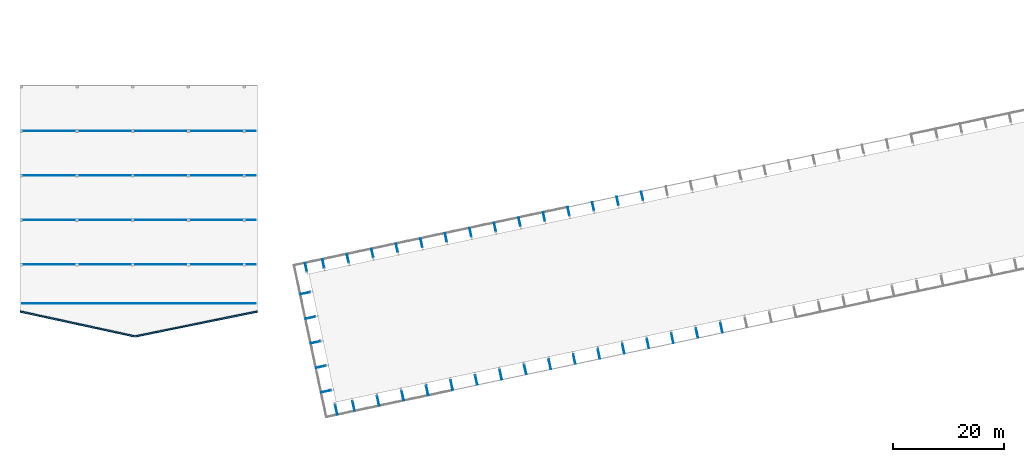
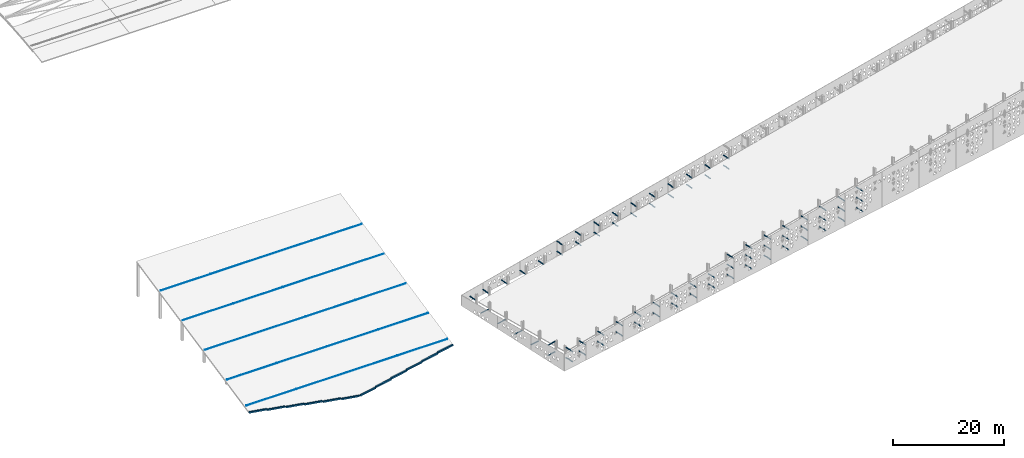
# One storey, part 31 of 41: 105 discrete accessories.
"""IFC4 building model written with IfcOpenShell, lengths in metres."""

import ifcopenshell
import ifcopenshell.guid

model = None  # the IFC model being written
_history = None  # IfcOwnerHistory: only IFC2X3 demands one
_inside = {}  # id of a spatial element -> (the spatial element, [elements in it])
_under = {}  # id of a project, library or spatial element -> (it, [spatial elements below it])
_declared = {}  # id of a project -> (the project, [libraries it declares])
_typed = {}  # id of a type object -> (the type object, [elements of that type])
_made_of = {}  # id of a material, layer set ... -> (it, [elements and type objects made of it])


def new_model(schema):
    """Start an empty IFC model of exactly this schema.

    Asked for "IFC4X3", IfcOpenShell would pick the latest addendum, in which some entities
    have other attributes; the version numbers below select the first issue.
    IFC2X3 requires an IfcOwnerHistory on every rooted entity: one is made here for all.
    """
    global model, _history
    if schema == "IFC4X3":
        model = ifcopenshell.file(schema_version=(4, 3, 0, 0))
    else:
        model = ifcopenshell.file(schema=schema)
    _inside.clear()
    _under.clear()
    _declared.clear()
    _typed.clear()
    _made_of.clear()
    _history = None
    if model.schema == "IFC2X3":
        org = make("IfcOrganization", Name="unknown")
        user = make(
            "IfcPersonAndOrganization",
            ThePerson=make("IfcPerson", FamilyName="unknown"),
            TheOrganization=org,
        )
        app = make(
            "IfcApplication",
            ApplicationDeveloper=org,
            Version="unknown",
            ApplicationFullName="unknown",
            ApplicationIdentifier="unknown",
        )
        _history = make(
            "IfcOwnerHistory",
            OwningUser=user,
            OwningApplication=app,
            ChangeAction="ADDED",
            CreationDate=0,
        )
    return model


def make(cls, **values):
    """One entity of the class cls with the attributes given. An attribute that is None is left unset."""
    return model.create_entity(
        cls, **{name: value for name, value in values.items() if value is not None}
    )


def rooted(cls, **values):
    """An entity with a GlobalId (a new one), such as an element, a storey or a relation."""
    return make(cls, GlobalId=ifcopenshell.guid.new(), OwnerHistory=_history, **values)


def si_unit(unit_type, name, prefix=None):
    """IfcSIUnit, for example si_unit("LENGTHUNIT", "METRE", prefix="MILLI")."""
    return make("IfcSIUnit", UnitType=unit_type, Prefix=prefix, Name=name)


def assignment(units):
    """IfcUnitAssignment: the units of a project."""
    return None if units is None else make("IfcUnitAssignment", Units=units)


def point(xyz):
    """IfcCartesianPoint."""
    return None if xyz is None else make("IfcCartesianPoint", Coordinates=xyz)


def direction(xyz):
    """IfcDirection."""
    return None if xyz is None else make("IfcDirection", DirectionRatios=xyz)


def frame(location, z_axis=None, x_axis=None):
    """IfcAxis2Placement3D, a coordinate frame: its origin and axes. An axis left out is left unset."""
    return make(
        "IfcAxis2Placement3D",
        Location=point(location),
        Axis=direction(z_axis),
        RefDirection=direction(x_axis),
    )


def frame_2d(location, x_axis=None):
    """IfcAxis2Placement2D, a coordinate frame in the plane: its origin and x axis."""
    return make(
        "IfcAxis2Placement2D", Location=point(location), RefDirection=direction(x_axis)
    )


def origin():
    """The frame at (0, 0, 0) with its axes left unset."""
    return frame((0.0, 0.0, 0.0))


def origin_2d():
    """The frame at (0, 0) in the plane with its x axis left unset."""
    return frame_2d((0.0, 0.0))


def place(relative_to, where):
    """IfcLocalPlacement: puts the frame where relative to a parent placement (None: the world)."""
    return make(
        "IfcLocalPlacement", PlacementRelTo=relative_to, RelativePlacement=where
    )


def context(
    kind, dimensions, precision=None, world=None, true_north=None, identifier=None
):
    """IfcGeometricRepresentationContext, for example the 3D "Model" context."""
    return make(
        "IfcGeometricRepresentationContext",
        ContextIdentifier=identifier,
        ContextType=kind,
        CoordinateSpaceDimension=dimensions,
        Precision=precision,
        WorldCoordinateSystem=world,
        TrueNorth=true_north,
    )


def subcontext(parent, identifier, kind, view, scale=None):
    """IfcGeometricRepresentationSubContext, for example "Body" below "Model"."""
    return make(
        "IfcGeometricRepresentationSubContext",
        ContextIdentifier=identifier,
        ContextType=kind,
        ParentContext=parent,
        TargetScale=scale,
        TargetView=view,
    )


def project(units=None, contexts=None):
    """IfcProject with its units and contexts."""
    return rooted(
        "IfcProject",
        Name="project",
        RepresentationContexts=contexts,
        UnitsInContext=assignment(units),
    )


def spatial(cls, under=None, at=None, **own):
    """A site, building, storey or space (cls), placed at a placement, below another one or the project."""
    s = rooted(cls, ObjectPlacement=at, **own)
    if under is not None:
        _under.setdefault(under.id(), (under, []))[1].append(s)
    return s


def polyline(points):
    """IfcPolyline through the points."""
    return make("IfcPolyline", Points=[point(p) for p in points])


def profile(cls, at=None, kind="AREA", **sizes):
    """A parametric profile (cls). Its sizes go by their IFC names, for example OverallWidth=200.0."""
    return make(cls, ProfileType=kind, Position=at, **sizes)


def rectangle(**sizes):
    """IfcRectangleProfileDef."""
    return profile("IfcRectangleProfileDef", **sizes)


def outline(outer, holes=None, kind="AREA"):
    """IfcArbitraryClosedProfileDef: a profile drawn as a closed curve; with holes, ...WithVoids."""
    if holes is None:
        return make("IfcArbitraryClosedProfileDef", ProfileType=kind, OuterCurve=outer)
    return make(
        "IfcArbitraryProfileDefWithVoids",
        ProfileType=kind,
        OuterCurve=outer,
        InnerCurves=holes,
    )


def extrude(swept, where, along, depth):
    """IfcExtrudedAreaSolid: the profile swept, set in the frame where, extruded along a direction by depth."""
    return make(
        "IfcExtrudedAreaSolid",
        SweptArea=swept,
        Position=where,
        ExtrudedDirection=direction(along),
        Depth=depth,
    )


def shape(context_of_items, identifier, shape_type, items):
    """IfcShapeRepresentation: the items that make up one representation, for example the "Body"."""
    return make(
        "IfcShapeRepresentation",
        ContextOfItems=context_of_items,
        RepresentationIdentifier=identifier,
        RepresentationType=shape_type,
        Items=items,
    )


def material(Name=None, Category=None):
    """IfcMaterial."""
    return make("IfcMaterial", Name=Name, Category=Category)


def material_profile(
    of_material, cross_section, Name=None, Category=None, Priority=None
):
    """IfcMaterialProfile: a cross section and its material."""
    return make(
        "IfcMaterialProfile",
        Name=Name,
        Material=of_material,
        Profile=cross_section,
        Priority=Priority,
        Category=Category,
    )


def profile_set(profiles, Name=None, composite=None):
    """IfcMaterialProfileSet."""
    return make(
        "IfcMaterialProfileSet",
        Name=Name,
        MaterialProfiles=profiles,
        CompositeProfile=composite,
    )


def made_of(thing, what):
    """Note that an element or type object is made of a material, layer set ...; save() writes the relation."""
    if what is not None:
        _made_of.setdefault(what.id(), (what, []))[1].append(thing)
    return thing


def type_object(cls, material=None, **own):
    """A type object (cls), such as IfcWallType, which elements share."""
    return made_of(rooted(cls, **own), material)


def element(
    cls,
    number,
    at=None,
    inside=None,
    cuts=None,
    type_object=None,
    material=None,
    context=None,
    identifier="Body",
    shape_type=None,
    held_by="IfcProductDefinitionShape",
    body=None,
    shapes=None,
    **own,
):
    """One element of the class cls, such as IfcWall. Its Tag is "e" and its number.

    at: its placement. inside: the storey or other place that contains it. cuts: it is an
    opening in that element (IfcRelVoidsElement). A single representation is given by context,
    identifier, shape_type and body (its items); several are given by shapes. held_by: the class
    of the entity that holds the representations. save() writes the other relations.
    """
    e = rooted(cls, Tag="e%d" % number, ObjectPlacement=at, **own)
    if body is not None:
        shapes = [shape(context, identifier, shape_type, body)]
    if shapes is not None:
        e.Representation = make(held_by, Representations=shapes)
    if inside is not None:
        _inside.setdefault(inside.id(), (inside, []))[1].append(e)
    if cuts is not None:
        rooted(
            "IfcRelVoidsElement", RelatingBuildingElement=cuts, RelatedOpeningElement=e
        )
    if type_object is not None:
        _typed.setdefault(type_object.id(), (type_object, []))[1].append(e)
    return made_of(e, material)


def aggregate(whole, parts):
    """IfcRelAggregates: a whole, such as a stair, and the parts it consists of."""
    return rooted("IfcRelAggregates", RelatingObject=whole, RelatedObjects=parts)


def save(model, path):
    """Write the relations noted so far, then the file.

    IfcRelAggregates (storeys below a building ...), IfcRelContainedInSpatialStructure (elements
    in a storey), IfcRelDefinesByType, IfcRelAssociatesMaterial and IfcRelDeclares: one each for
    every whole, place, type object, material and project.
    """
    for whole, parts in _under.values():
        aggregate(whole, parts)
    for where, things in _inside.values():
        rooted(
            "IfcRelContainedInSpatialStructure",
            RelatedElements=things,
            RelatingStructure=where,
        )
    for kind, things in _typed.values():
        rooted("IfcRelDefinesByType", RelatedObjects=things, RelatingType=kind)
    for what, things in _made_of.values():
        rooted("IfcRelAssociatesMaterial", RelatedObjects=things, RelatingMaterial=what)
    for by, libraries in _declared.values():
        rooted("IfcRelDeclares", RelatingContext=by, RelatedDefinitions=libraries)
    model.write(path)


model = new_model("IFC4")

# Units and contexts
model_context = context("Model", 3, precision=1e-05, world=origin(), true_north=direction((0.0, 1.0)))
body_context = subcontext(model_context, "Body", "Model", "MODEL_VIEW")
ifc_project = project(units=[si_unit("LENGTHUNIT", "METRE"), si_unit("AREAUNIT", "SQUARE_METRE"), si_unit("VOLUMEUNIT", "CUBIC_METRE"), si_unit("PLANEANGLEUNIT", "RADIAN"), si_unit("MASSUNIT", "GRAM", prefix="KILO")], contexts=[model_context])

# Site, building, storey
site_placement = place(None, origin())
site = spatial("IfcSite", under=ifc_project, at=site_placement, CompositionType="ELEMENT")
building_placement = place(site_placement, origin())
building = spatial("IfcBuilding", under=site, at=building_placement, Name="Okhra Congress Centre", CompositionType="ELEMENT")
storey_placement = place(building_placement, frame((0.0, 0.0, 21.60009765625)))
storey = spatial("IfcBuildingStorey", under=building, at=storey_placement, Name="ROOF", CompositionType="ELEMENT", Elevation=21.60009765625)

# Discrete accessories
ifc_material_1 = material(Name="Stainless steel box gutter with self-regulating heating cable", Category="steel")
discrete_accessory_type_1 = type_object("IfcDiscreteAccessoryType", Name="Heated eaves gutter 300x300", PredefinedType="USERDEFINED", material=ifc_material_1)
for number, where, z_axis, x_axis, name in (
    (1, (7.4619140625, 43.255615234375, -1.279296875), (0.0, 0.0, 1.0), (0.97726183276, -0.212036105958, 0.0), "Heated eaves gutter"),
    (2, (10.8994140625, 42.509765625, -1.43798828125), (0.0, 0.0, 1.0), (0.97726183276, -0.212036105958, 0.0), "Heated eaves gutter"),
    (3, (14.3369140625, 41.763916015625, -1.5966796875), (0.0, 0.0, 1.0), (0.97726183276, -0.212036105958, 0.0), "Heated eaves gutter"),
    (4, (17.7744140625, 41.01806640625, -1.7548828125), (0.0, 0.0, 1.0), (0.97726183276, -0.212036105958, 0.0), "Heated eaves gutter"),
    (5, (21.2119140625, 40.272216796875, -1.91357421875), (0.0, 0.0, 1.0), (0.97726183276, -0.212036105958, 0.0), "Heated eaves gutter"),
    (6, (24.6494140625, 39.5263671875, -2.072265625), (0.0, 0.0, 1.0), (0.97726183276, -0.212036105958, 0.0), "Heated eaves gutter"),
):
    element("IfcDiscreteAccessory", number, at=place(storey_placement, frame(where, z_axis=z_axis, x_axis=x_axis)), inside=storey, type_object=discrete_accessory_type_1, Name=name, ObjectType="HEATED GUTTER", PredefinedType="USERDEFINED", context=body_context, shape_type="SweptSolid", body=[
        extrude(rectangle(XDim=3.41748046875, YDim=0.300048828125, at=origin_2d()), origin(), (0.0, 0.0, 1.0), 0.300048828125),
    ])
for number, where, z_axis, x_axis, name in (
    (7, (28.26318359375, 39.52587890625, -2.072265625), (0.0, 0.0, 1.0), (0.979933054866, 0.199326887252, 0.0), "Heated eaves gutter"),
    (8, (31.929931640625, 40.271728515625, -1.91357421875), (0.0, 0.0, 1.0), (0.979933054866, 0.199326887252, 0.0), "Heated eaves gutter"),
    (9, (35.5966796875, 41.017578125, -1.7548828125), (0.0, 0.0, 1.0), (0.979933054866, 0.199326887252, 0.0), "Heated eaves gutter"),
    (10, (39.26318359375, 41.763427734375, -1.5966796875), (0.0, 0.0, 1.0), (0.979933054866, 0.199326887252, 0.0), "Heated eaves gutter"),
    (11, (42.929931640625, 42.50927734375, -1.43798828125), (0.0, 0.0, 1.0), (0.979933054866, 0.199326887252, 0.0), "Heated eaves gutter"),
    (12, (46.5966796875, 43.255126953125, -1.279296875), (0.0, 0.0, 1.0), (0.979933054866, 0.199326887252, 0.0), "Heated eaves gutter"),
):
    element("IfcDiscreteAccessory", number, at=place(storey_placement, frame(where, z_axis=z_axis, x_axis=x_axis)), inside=storey, type_object=discrete_accessory_type_1, Name=name, ObjectType="HEATED GUTTER", PredefinedType="USERDEFINED", context=body_context, shape_type="SweptSolid", body=[
        extrude(rectangle(XDim=3.641845703125, YDim=0.300048828125, at=origin_2d()), origin(), (0.0, 0.0, 1.0), 0.300048828125),
    ])
ifc_material_2 = material(Name="Steel S355J2 outrigger, galvanised", Category="steel")
ifc_material_profile = material_profile(ifc_material_2, rectangle(XDim=0.1201171875, YDim=0.1201171875, at=origin_2d()), Name="Screen outrigger bracket 120x120")
ifc_profile_set = profile_set([ifc_material_profile], Name="Steel S355J2 outrigger, galvanised")
discrete_accessory_type_2 = type_object("IfcDiscreteAccessoryType", Name="Screen outrigger bracket 120x120", PredefinedType="BRACKET", material=ifc_profile_set)
for number, where, z_axis, x_axis, name in (
    (13, (62.352783203125, 26.86962890625, 1.329833984375), (0.207885223274, -0.97815322621, 0.0), (0.97815322621, 0.207885223274, 0.0), "Screen outrigger 7"),
    (14, (62.352783203125, 26.86962890625, 3.56982421875), (0.207885223274, -0.97815322621, 0.0), (0.97815322621, 0.207885223274, 0.0), "Screen outrigger 8"),
):
    element("IfcDiscreteAccessory", number, at=place(storey_placement, frame(where, z_axis=z_axis, x_axis=x_axis)), inside=storey, type_object=discrete_accessory_type_2, Name=name, PredefinedType="BRACKET", context=body_context, shape_type="SweptSolid", body=[
        extrude(rectangle(XDim=0.1201171875, YDim=0.1201171875, at=origin_2d()), origin(), (0.0, 0.0, 1.0), 1.76513671875),
    ])
discrete_accessory_1_placement = place(storey_placement, frame((57.271484375, 50.775390625, 1.329833984375), z_axis=(-0.207952044176, 0.978139022493, 0.0), x_axis=(-0.978139022493, -0.207952044176, 0.0)))
element("IfcDiscreteAccessory", 15, at=discrete_accessory_1_placement, inside=storey, type_object=discrete_accessory_type_2, Name="Screen outrigger 15", PredefinedType="BRACKET", context=body_context, shape_type="SweptSolid", body=[
    extrude(rectangle(XDim=0.1201171875, YDim=0.1201171875, at=origin_2d()), origin(), (0.0, 0.0, 1.0), 1.56494140625),
])
for number, where, z_axis, x_axis, name in (
    (16, (65.45849609375, 27.529541015625, 1.329833984375), (0.207913352163, -0.978147247602, 0.0), (0.978147247602, 0.207913352163, 0.0), "Screen outrigger 22"),
    (17, (65.45849609375, 27.529541015625, 3.56982421875), (0.207913352163, -0.978147247602, 0.0), (0.978147247602, 0.207913352163, 0.0), "Screen outrigger 23"),
):
    element("IfcDiscreteAccessory", number, at=place(storey_placement, frame(where, z_axis=z_axis, x_axis=x_axis)), inside=storey, type_object=discrete_accessory_type_2, Name=name, PredefinedType="BRACKET", context=body_context, shape_type="SweptSolid", body=[
        extrude(rectangle(XDim=0.1201171875, YDim=0.1201171875, at=origin_2d()), origin(), (0.0, 0.0, 1.0), 1.764892578125),
    ])
discrete_accessory_2_placement = place(storey_placement, frame((60.376953125, 51.435546875, 1.329833984375), z_axis=(-0.207802780084, 0.978170744088, 0.0), x_axis=(-0.978170744088, -0.207802780084, 0.0)))
element("IfcDiscreteAccessory", 18, at=discrete_accessory_2_placement, inside=storey, type_object=discrete_accessory_type_2, Name="Screen outrigger 30", PredefinedType="BRACKET", context=body_context, shape_type="SweptSolid", body=[
    extrude(rectangle(XDim=0.1201171875, YDim=0.1201171875, at=origin_2d()), origin(), (0.0, 0.0, 1.0), 1.56494140625),
])
for number, where, z_axis, x_axis, name in (
    (19, (69.860107421875, 28.46533203125, 1.329833984375), (0.207885223274, -0.97815322621, 0.0), (0.97815322621, 0.207885223274, 0.0), "Screen outrigger 37"),
    (20, (69.860107421875, 28.46533203125, 3.56982421875), (0.207885223274, -0.97815322621, 0.0), (0.97815322621, 0.207885223274, 0.0), "Screen outrigger 38"),
):
    element("IfcDiscreteAccessory", number, at=place(storey_placement, frame(where, z_axis=z_axis, x_axis=x_axis)), inside=storey, type_object=discrete_accessory_type_2, Name=name, PredefinedType="BRACKET", context=body_context, shape_type="SweptSolid", body=[
        extrude(rectangle(XDim=0.1201171875, YDim=0.1201171875, at=origin_2d()), origin(), (0.0, 0.0, 1.0), 1.76513671875),
    ])
discrete_accessory_3_placement = place(storey_placement, frame((64.77880859375, 52.37109375, 1.329833984375), z_axis=(-0.207920316953, 0.978145767152, 0.0), x_axis=(-0.978145767152, -0.207920316953, 0.0)))
element("IfcDiscreteAccessory", 21, at=discrete_accessory_3_placement, inside=storey, type_object=discrete_accessory_type_2, Name="Screen outrigger 45", PredefinedType="BRACKET", context=body_context, shape_type="SweptSolid", body=[
    extrude(rectangle(XDim=0.1201171875, YDim=0.1201171875, at=origin_2d()), origin(), (0.0, 0.0, 1.0), 1.565185546875),
])
for number, where, z_axis, x_axis, name in (
    (22, (74.26171875, 29.40087890625, 1.329833984375), (0.207885223274, -0.97815322621, 0.0), (0.97815322621, 0.207885223274, 0.0), "Screen outrigger 52"),
    (23, (74.26171875, 29.40087890625, 3.56982421875), (0.207885223274, -0.97815322621, 0.0), (0.97815322621, 0.207885223274, 0.0), "Screen outrigger 53"),
):
    element("IfcDiscreteAccessory", number, at=place(storey_placement, frame(where, z_axis=z_axis, x_axis=x_axis)), inside=storey, type_object=discrete_accessory_type_2, Name=name, PredefinedType="BRACKET", context=body_context, shape_type="SweptSolid", body=[
        extrude(rectangle(XDim=0.1201171875, YDim=0.1201171875, at=origin_2d()), origin(), (0.0, 0.0, 1.0), 1.76513671875),
    ])
discrete_accessory_4_placement = place(storey_placement, frame((69.180419921875, 53.306884765625, 1.329833984375), z_axis=(-0.207952044176, 0.978139022493, 0.0), x_axis=(-0.978139022493, -0.207952044176, 0.0)))
element("IfcDiscreteAccessory", 24, at=discrete_accessory_4_placement, inside=storey, type_object=discrete_accessory_type_2, Name="Screen outrigger 60", PredefinedType="BRACKET", context=body_context, shape_type="SweptSolid", body=[
    extrude(rectangle(XDim=0.1201171875, YDim=0.1201171875, at=origin_2d()), origin(), (0.0, 0.0, 1.0), 1.56494140625),
])
for number, where, z_axis, x_axis, name in (
    (25, (78.663330078125, 30.33642578125, 1.329833984375), (0.207913352163, -0.978147247602, 0.0), (0.978147247602, 0.207913352163, 0.0), "Screen outrigger 67"),
    (26, (78.663330078125, 30.33642578125, 3.56982421875), (0.207913352163, -0.978147247602, 0.0), (0.978147247602, 0.207913352163, 0.0), "Screen outrigger 68"),
):
    element("IfcDiscreteAccessory", number, at=place(storey_placement, frame(where, z_axis=z_axis, x_axis=x_axis)), inside=storey, type_object=discrete_accessory_type_2, Name=name, PredefinedType="BRACKET", context=body_context, shape_type="SweptSolid", body=[
        extrude(rectangle(XDim=0.1201171875, YDim=0.1201171875, at=origin_2d()), origin(), (0.0, 0.0, 1.0), 1.764892578125),
    ])
discrete_accessory_5_placement = place(storey_placement, frame((73.58203125, 54.242431640625, 1.329833984375), z_axis=(-0.207952044176, 0.978139022493, 0.0), x_axis=(-0.978139022493, -0.207952044176, 0.0)))
element("IfcDiscreteAccessory", 27, at=discrete_accessory_5_placement, inside=storey, type_object=discrete_accessory_type_2, Name="Screen outrigger 75", PredefinedType="BRACKET", context=body_context, shape_type="SweptSolid", body=[
    extrude(rectangle(XDim=0.1201171875, YDim=0.1201171875, at=origin_2d()), origin(), (0.0, 0.0, 1.0), 1.56494140625),
])
for number, where, z_axis, x_axis, name in (
    (28, (83.06494140625, 31.27197265625, 1.329833984375), (0.208045698869, -0.978119106849, 0.0), (0.978119106849, 0.208045698869, 0.0), "Screen outrigger 82"),
    (29, (83.06494140625, 31.27197265625, 3.56982421875), (0.208045698869, -0.978119106849, 0.0), (0.978119106849, 0.208045698869, 0.0), "Screen outrigger 83"),
):
    element("IfcDiscreteAccessory", number, at=place(storey_placement, frame(where, z_axis=z_axis, x_axis=x_axis)), inside=storey, type_object=discrete_accessory_type_2, Name=name, PredefinedType="BRACKET", context=body_context, shape_type="SweptSolid", body=[
        extrude(rectangle(XDim=0.1201171875, YDim=0.1201171875, at=origin_2d()), origin(), (0.0, 0.0, 1.0), 1.764892578125),
    ])
for number, where, z_axis, x_axis, name in (
    (30, (77.983642578125, 55.177978515625, 1.329833984375), (-0.207952044176, 0.978139022493, 0.0), (-0.978139022493, -0.207952044176, 0.0), "Screen outrigger 90"),
    (31, (77.983642578125, 55.177978515625, 3.56982421875), (-0.207952044176, 0.978139022493, 0.0), (-0.978139022493, -0.207952044176, 0.0), "Screen outrigger 91"),
):
    element("IfcDiscreteAccessory", number, at=place(storey_placement, frame(where, z_axis=z_axis, x_axis=x_axis)), inside=storey, type_object=discrete_accessory_type_2, Name=name, PredefinedType="BRACKET", context=body_context, shape_type="SweptSolid", body=[
        extrude(rectangle(XDim=0.1201171875, YDim=0.1201171875, at=origin_2d()), origin(), (0.0, 0.0, 1.0), 1.56494140625),
    ])
for number, where, z_axis, x_axis, name in (
    (32, (87.466796875, 32.207763671875, 1.329833984375), (0.207885223274, -0.97815322621, 0.0), (0.97815322621, 0.207885223274, 0.0), "Screen outrigger 98"),
    (33, (87.466796875, 32.207763671875, 3.56982421875), (0.207885223274, -0.97815322621, 0.0), (0.97815322621, 0.207885223274, 0.0), "Screen outrigger 99"),
):
    element("IfcDiscreteAccessory", number, at=place(storey_placement, frame(where, z_axis=z_axis, x_axis=x_axis)), inside=storey, type_object=discrete_accessory_type_2, Name=name, PredefinedType="BRACKET", context=body_context, shape_type="SweptSolid", body=[
        extrude(rectangle(XDim=0.1201171875, YDim=0.1201171875, at=origin_2d()), origin(), (0.0, 0.0, 1.0), 1.76513671875),
    ])
for number, where, z_axis, x_axis, name in (
    (34, (82.38525390625, 56.113525390625, 1.329833984375), (-0.207802780084, 0.978170744088, 0.0), (-0.978170744088, -0.207802780084, 0.0), "Screen outrigger 106"),
    (35, (82.38525390625, 56.113525390625, 3.56982421875), (-0.207802780084, 0.978170744088, 0.0), (-0.978170744088, -0.207802780084, 0.0), "Screen outrigger 107"),
):
    element("IfcDiscreteAccessory", number, at=place(storey_placement, frame(where, z_axis=z_axis, x_axis=x_axis)), inside=storey, type_object=discrete_accessory_type_2, Name=name, PredefinedType="BRACKET", context=body_context, shape_type="SweptSolid", body=[
        extrude(rectangle(XDim=0.1201171875, YDim=0.1201171875, at=origin_2d()), origin(), (0.0, 0.0, 1.0), 1.56494140625),
    ])
for number, where, z_axis, x_axis, name in (
    (36, (91.868408203125, 33.143310546875, 1.329833984375), (0.207885223274, -0.97815322621, 0.0), (0.97815322621, 0.207885223274, 0.0), "Screen outrigger 114"),
    (37, (91.868408203125, 33.143310546875, 3.56982421875), (0.207885223274, -0.97815322621, 0.0), (0.97815322621, 0.207885223274, 0.0), "Screen outrigger 115"),
):
    element("IfcDiscreteAccessory", number, at=place(storey_placement, frame(where, z_axis=z_axis, x_axis=x_axis)), inside=storey, type_object=discrete_accessory_type_2, Name=name, PredefinedType="BRACKET", context=body_context, shape_type="SweptSolid", body=[
        extrude(rectangle(XDim=0.1201171875, YDim=0.1201171875, at=origin_2d()), origin(), (0.0, 0.0, 1.0), 1.76513671875),
    ])
for number, where, z_axis, x_axis, name in (
    (38, (86.787109375, 57.049072265625, 1.329833984375), (-0.207920316953, 0.978145767152, 0.0), (-0.978145767152, -0.207920316953, 0.0), "Screen outrigger 122"),
    (39, (86.787109375, 57.049072265625, 3.56982421875), (-0.207920316953, 0.978145767152, 0.0), (-0.978145767152, -0.207920316953, 0.0), "Screen outrigger 123"),
):
    element("IfcDiscreteAccessory", number, at=place(storey_placement, frame(where, z_axis=z_axis, x_axis=x_axis)), inside=storey, type_object=discrete_accessory_type_2, Name=name, PredefinedType="BRACKET", context=body_context, shape_type="SweptSolid", body=[
        extrude(rectangle(XDim=0.1201171875, YDim=0.1201171875, at=origin_2d()), origin(), (0.0, 0.0, 1.0), 1.565185546875),
    ])
for number, where, z_axis, x_axis, name in (
    (40, (96.27001953125, 34.078857421875, 1.329833984375), (0.207913352163, -0.978147247602, 0.0), (0.978147247602, 0.207913352163, 0.0), "Screen outrigger 130"),
    (41, (96.27001953125, 34.078857421875, 3.56982421875), (0.207913352163, -0.978147247602, 0.0), (0.978147247602, 0.207913352163, 0.0), "Screen outrigger 131"),
):
    element("IfcDiscreteAccessory", number, at=place(storey_placement, frame(where, z_axis=z_axis, x_axis=x_axis)), inside=storey, type_object=discrete_accessory_type_2, Name=name, PredefinedType="BRACKET", context=body_context, shape_type="SweptSolid", body=[
        extrude(rectangle(XDim=0.1201171875, YDim=0.1201171875, at=origin_2d()), origin(), (0.0, 0.0, 1.0), 1.764892578125),
    ])
for number, where, z_axis, x_axis, name in (
    (42, (91.188720703125, 57.98486328125, 1.329833984375), (-0.207952044176, 0.978139022493, 0.0), (-0.978139022493, -0.207952044176, 0.0), "Screen outrigger 138"),
    (43, (91.188720703125, 57.98486328125, 3.56982421875), (-0.207952044176, 0.978139022493, 0.0), (-0.978139022493, -0.207952044176, 0.0), "Screen outrigger 139"),
):
    element("IfcDiscreteAccessory", number, at=place(storey_placement, frame(where, z_axis=z_axis, x_axis=x_axis)), inside=storey, type_object=discrete_accessory_type_2, Name=name, PredefinedType="BRACKET", context=body_context, shape_type="SweptSolid", body=[
        extrude(rectangle(XDim=0.1201171875, YDim=0.1201171875, at=origin_2d()), origin(), (0.0, 0.0, 1.0), 1.56494140625),
    ])
for number, where, z_axis, x_axis, name in (
    (44, (100.671630859375, 35.014404296875, 1.329833984375), (0.207913352163, -0.978147247602, 0.0), (0.978147247602, 0.207913352163, 0.0), "Screen outrigger 146"),
    (45, (100.671630859375, 35.014404296875, 3.56982421875), (0.207913352163, -0.978147247602, 0.0), (0.978147247602, 0.207913352163, 0.0), "Screen outrigger 147"),
    (46, (100.671630859375, 35.014404296875, 5.809814453125), (0.207913352163, -0.978147247602, 0.0), (0.978147247602, 0.207913352163, 0.0), "Screen outrigger 148"),
):
    element("IfcDiscreteAccessory", number, at=place(storey_placement, frame(where, z_axis=z_axis, x_axis=x_axis)), inside=storey, type_object=discrete_accessory_type_2, Name=name, PredefinedType="BRACKET", context=body_context, shape_type="SweptSolid", body=[
        extrude(rectangle(XDim=0.1201171875, YDim=0.1201171875, at=origin_2d()), origin(), (0.0, 0.0, 1.0), 1.764892578125),
    ])
for number, where, z_axis, x_axis, name in (
    (47, (95.59033203125, 58.92041015625, 1.329833984375), (-0.207952044176, 0.978139022493, 0.0), (-0.978139022493, -0.207952044176, 0.0), "Screen outrigger 155"),
    (48, (95.59033203125, 58.92041015625, 3.56982421875), (-0.207952044176, 0.978139022493, 0.0), (-0.978139022493, -0.207952044176, 0.0), "Screen outrigger 156"),
):
    element("IfcDiscreteAccessory", number, at=place(storey_placement, frame(where, z_axis=z_axis, x_axis=x_axis)), inside=storey, type_object=discrete_accessory_type_2, Name=name, PredefinedType="BRACKET", context=body_context, shape_type="SweptSolid", body=[
        extrude(rectangle(XDim=0.1201171875, YDim=0.1201171875, at=origin_2d()), origin(), (0.0, 0.0, 1.0), 1.56494140625),
    ])
for number, where, z_axis, x_axis, name in (
    (49, (105.073486328125, 35.949951171875, 1.329833984375), (0.207913352163, -0.978147247602, 0.0), (0.978147247602, 0.207913352163, 0.0), "Screen outrigger 163"),
    (50, (105.073486328125, 35.949951171875, 3.56982421875), (0.207913352163, -0.978147247602, 0.0), (0.978147247602, 0.207913352163, 0.0), "Screen outrigger 164"),
    (51, (105.073486328125, 35.949951171875, 5.809814453125), (0.207913352163, -0.978147247602, 0.0), (0.978147247602, 0.207913352163, 0.0), "Screen outrigger 165"),
):
    element("IfcDiscreteAccessory", number, at=place(storey_placement, frame(where, z_axis=z_axis, x_axis=x_axis)), inside=storey, type_object=discrete_accessory_type_2, Name=name, PredefinedType="BRACKET", context=body_context, shape_type="SweptSolid", body=[
        extrude(rectangle(XDim=0.1201171875, YDim=0.1201171875, at=origin_2d()), origin(), (0.0, 0.0, 1.0), 1.764892578125),
    ])
for number, where, z_axis, x_axis, name in (
    (52, (99.991943359375, 59.85595703125, 1.329833984375), (-0.207802780084, 0.978170744088, 0.0), (-0.978170744088, -0.207802780084, 0.0), "Screen outrigger 172"),
    (53, (99.991943359375, 59.85595703125, 3.56982421875), (-0.207802780084, 0.978170744088, 0.0), (-0.978170744088, -0.207802780084, 0.0), "Screen outrigger 173"),
):
    element("IfcDiscreteAccessory", number, at=place(storey_placement, frame(where, z_axis=z_axis, x_axis=x_axis)), inside=storey, type_object=discrete_accessory_type_2, Name=name, PredefinedType="BRACKET", context=body_context, shape_type="SweptSolid", body=[
        extrude(rectangle(XDim=0.1201171875, YDim=0.1201171875, at=origin_2d()), origin(), (0.0, 0.0, 1.0), 1.56494140625),
    ])
for number, where, z_axis, x_axis, name in (
    (54, (109.47509765625, 36.8857421875, 1.329833984375), (0.207885223274, -0.97815322621, 0.0), (0.97815322621, 0.207885223274, 0.0), "Screen outrigger 180"),
    (55, (109.47509765625, 36.8857421875, 3.56982421875), (0.207885223274, -0.97815322621, 0.0), (0.97815322621, 0.207885223274, 0.0), "Screen outrigger 181"),
    (56, (109.47509765625, 36.8857421875, 5.809814453125), (0.207885223274, -0.97815322621, 0.0), (0.97815322621, 0.207885223274, 0.0), "Screen outrigger 182"),
):
    element("IfcDiscreteAccessory", number, at=place(storey_placement, frame(where, z_axis=z_axis, x_axis=x_axis)), inside=storey, type_object=discrete_accessory_type_2, Name=name, PredefinedType="BRACKET", context=body_context, shape_type="SweptSolid", body=[
        extrude(rectangle(XDim=0.1201171875, YDim=0.1201171875, at=origin_2d()), origin(), (0.0, 0.0, 1.0), 1.76513671875),
    ])
for number, where, z_axis, x_axis, name in (
    (57, (104.3935546875, 60.79150390625, 1.329833984375), (-0.207771073578, 0.978177479287, 0.0), (-0.978177479287, -0.207771073578, 0.0), "Screen outrigger 189"),
    (58, (104.3935546875, 60.79150390625, 3.56982421875), (-0.207771073578, 0.978177479287, 0.0), (-0.978177479287, -0.207771073578, 0.0), "Screen outrigger 190"),
):
    element("IfcDiscreteAccessory", number, at=place(storey_placement, frame(where, z_axis=z_axis, x_axis=x_axis)), inside=storey, type_object=discrete_accessory_type_2, Name=name, PredefinedType="BRACKET", context=body_context, shape_type="SweptSolid", body=[
        extrude(rectangle(XDim=0.1201171875, YDim=0.1201171875, at=origin_2d()), origin(), (0.0, 0.0, 1.0), 1.565185546875),
    ])
for number, where, z_axis, x_axis, name in (
    (59, (113.876708984375, 37.8212890625, 1.329833984375), (0.207885223274, -0.97815322621, 0.0), (0.97815322621, 0.207885223274, 0.0), "Screen outrigger 197"),
    (60, (113.876708984375, 37.8212890625, 3.56982421875), (0.207885223274, -0.97815322621, 0.0), (0.97815322621, 0.207885223274, 0.0), "Screen outrigger 198"),
    (61, (113.876708984375, 37.8212890625, 5.809814453125), (0.207885223274, -0.97815322621, 0.0), (0.97815322621, 0.207885223274, 0.0), "Screen outrigger 199"),
):
    element("IfcDiscreteAccessory", number, at=place(storey_placement, frame(where, z_axis=z_axis, x_axis=x_axis)), inside=storey, type_object=discrete_accessory_type_2, Name=name, PredefinedType="BRACKET", context=body_context, shape_type="SweptSolid", body=[
        extrude(rectangle(XDim=0.1201171875, YDim=0.1201171875, at=origin_2d()), origin(), (0.0, 0.0, 1.0), 1.76513671875),
    ])
for number, where, z_axis, x_axis, name in (
    (62, (108.79541015625, 61.727294921875, 1.329833984375), (-0.207952044176, 0.978139022493, 0.0), (-0.978139022493, -0.207952044176, 0.0), "Screen outrigger 206"),
    (63, (108.79541015625, 61.727294921875, 3.56982421875), (-0.207952044176, 0.978139022493, 0.0), (-0.978139022493, -0.207952044176, 0.0), "Screen outrigger 207"),
):
    element("IfcDiscreteAccessory", number, at=place(storey_placement, frame(where, z_axis=z_axis, x_axis=x_axis)), inside=storey, type_object=discrete_accessory_type_2, Name=name, PredefinedType="BRACKET", context=body_context, shape_type="SweptSolid", body=[
        extrude(rectangle(XDim=0.1201171875, YDim=0.1201171875, at=origin_2d()), origin(), (0.0, 0.0, 1.0), 1.56494140625),
    ])
for number, where, z_axis, x_axis, name in (
    (64, (118.2783203125, 38.7568359375, 1.329833984375), (0.207913352163, -0.978147247602, 0.0), (0.978147247602, 0.207913352163, 0.0), "Screen outrigger 214"),
    (65, (118.2783203125, 38.7568359375, 3.56982421875), (0.207913352163, -0.978147247602, 0.0), (0.978147247602, 0.207913352163, 0.0), "Screen outrigger 215"),
    (66, (118.2783203125, 38.7568359375, 5.809814453125), (0.207913352163, -0.978147247602, 0.0), (0.978147247602, 0.207913352163, 0.0), "Screen outrigger 216"),
):
    element("IfcDiscreteAccessory", number, at=place(storey_placement, frame(where, z_axis=z_axis, x_axis=x_axis)), inside=storey, type_object=discrete_accessory_type_2, Name=name, PredefinedType="BRACKET", context=body_context, shape_type="SweptSolid", body=[
        extrude(rectangle(XDim=0.1201171875, YDim=0.1201171875, at=origin_2d()), origin(), (0.0, 0.0, 1.0), 1.764892578125),
    ])
for number, where, z_axis, x_axis, name in (
    (67, (113.197021484375, 62.662841796875, 1.329833984375), (-0.207952044176, 0.978139022493, 0.0), (-0.978139022493, -0.207952044176, 0.0), "Screen outrigger 223"),
    (68, (113.197021484375, 62.662841796875, 3.56982421875), (-0.207952044176, 0.978139022493, 0.0), (-0.978139022493, -0.207952044176, 0.0), "Screen outrigger 224"),
):
    element("IfcDiscreteAccessory", number, at=place(storey_placement, frame(where, z_axis=z_axis, x_axis=x_axis)), inside=storey, type_object=discrete_accessory_type_2, Name=name, PredefinedType="BRACKET", context=body_context, shape_type="SweptSolid", body=[
        extrude(rectangle(XDim=0.1201171875, YDim=0.1201171875, at=origin_2d()), origin(), (0.0, 0.0, 1.0), 1.56494140625),
    ])
for number, where, z_axis, x_axis, name in (
    (69, (122.679931640625, 39.6923828125, 1.329833984375), (0.207913352163, -0.978147247602, 0.0), (0.978147247602, 0.207913352163, 0.0), "Screen outrigger 231"),
    (70, (122.679931640625, 39.6923828125, 3.56982421875), (0.207913352163, -0.978147247602, 0.0), (0.978147247602, 0.207913352163, 0.0), "Screen outrigger 232"),
    (71, (122.679931640625, 39.6923828125, 5.809814453125), (0.207913352163, -0.978147247602, 0.0), (0.978147247602, 0.207913352163, 0.0), "Screen outrigger 233"),
):
    element("IfcDiscreteAccessory", number, at=place(storey_placement, frame(where, z_axis=z_axis, x_axis=x_axis)), inside=storey, type_object=discrete_accessory_type_2, Name=name, PredefinedType="BRACKET", context=body_context, shape_type="SweptSolid", body=[
        extrude(rectangle(XDim=0.1201171875, YDim=0.1201171875, at=origin_2d()), origin(), (0.0, 0.0, 1.0), 1.764892578125),
    ])
for number, where, z_axis, x_axis, name in (
    (72, (117.5986328125, 63.598388671875, 1.329833984375), (-0.207952044176, 0.978139022493, 0.0), (-0.978139022493, -0.207952044176, 0.0), "Screen outrigger 240"),
    (73, (117.5986328125, 63.598388671875, 3.56982421875), (-0.207952044176, 0.978139022493, 0.0), (-0.978139022493, -0.207952044176, 0.0), "Screen outrigger 241"),
):
    element("IfcDiscreteAccessory", number, at=place(storey_placement, frame(where, z_axis=z_axis, x_axis=x_axis)), inside=storey, type_object=discrete_accessory_type_2, Name=name, PredefinedType="BRACKET", context=body_context, shape_type="SweptSolid", body=[
        extrude(rectangle(XDim=0.1201171875, YDim=0.1201171875, at=origin_2d()), origin(), (0.0, 0.0, 1.0), 1.56494140625),
    ])
for number, where, z_axis, x_axis, name in (
    (74, (127.081787109375, 40.628173828125, 1.329833984375), (0.207885223274, -0.97815322621, 0.0), (0.97815322621, 0.207885223274, 0.0), "Screen outrigger 249"),
    (75, (127.081787109375, 40.628173828125, 3.56982421875), (0.207885223274, -0.97815322621, 0.0), (0.97815322621, 0.207885223274, 0.0), "Screen outrigger 250"),
    (76, (127.081787109375, 40.628173828125, 5.809814453125), (0.207885223274, -0.97815322621, 0.0), (0.97815322621, 0.207885223274, 0.0), "Screen outrigger 251"),
    (77, (131.4833984375, 41.563720703125, 1.329833984375), (0.207885223274, -0.97815322621, 0.0), (0.97815322621, 0.207885223274, 0.0), "Screen outrigger 267"),
    (78, (131.4833984375, 41.563720703125, 3.56982421875), (0.207885223274, -0.97815322621, 0.0), (0.97815322621, 0.207885223274, 0.0), "Screen outrigger 268"),
    (79, (131.4833984375, 41.563720703125, 5.809814453125), (0.207885223274, -0.97815322621, 0.0), (0.97815322621, 0.207885223274, 0.0), "Screen outrigger 269"),
):
    element("IfcDiscreteAccessory", number, at=place(storey_placement, frame(where, z_axis=z_axis, x_axis=x_axis)), inside=storey, type_object=discrete_accessory_type_2, Name=name, PredefinedType="BRACKET", context=body_context, shape_type="SweptSolid", body=[
        extrude(rectangle(XDim=0.1201171875, YDim=0.1201171875, at=origin_2d()), origin(), (0.0, 0.0, 1.0), 1.76513671875),
    ])
for number, where, z_axis, x_axis, name in (
    (80, (61.572998046875, 29.4794921875, 1.329833984375), (-0.978147247602, -0.207913352163, 0.0), (0.207913352163, -0.978147247602, 0.0), "Screen outrigger 688"),
    (81, (61.572998046875, 29.4794921875, 3.56982421875), (-0.978147247602, -0.207913352163, 0.0), (0.207913352163, -0.978147247602, 0.0), "Screen outrigger 689"),
    (82, (60.637451171875, 33.881103515625, 1.329833984375), (-0.978147247602, -0.207913352163, 0.0), (0.207913352163, -0.978147247602, 0.0), "Screen outrigger 707"),
    (83, (59.701904296875, 38.28271484375, 1.329833984375), (-0.978147247602, -0.207913352163, 0.0), (0.207913352163, -0.978147247602, 0.0), "Screen outrigger 725"),
):
    element("IfcDiscreteAccessory", number, at=place(storey_placement, frame(where, z_axis=z_axis, x_axis=x_axis)), inside=storey, type_object=discrete_accessory_type_2, Name=name, PredefinedType="BRACKET", context=body_context, shape_type="SweptSolid", body=[
        extrude(rectangle(XDim=0.1201171875, YDim=0.1201171875, at=origin_2d()), origin(), (0.0, 0.0, 1.0), 1.764892578125),
    ])
for number, where, z_axis, x_axis, name in (
    (84, (58.766357421875, 42.6845703125, 1.329833984375), (-0.978125092897, -0.208017553693, 0.0), (0.208017553693, -0.978125092897, 0.0), "Screen outrigger 743"),
    (85, (57.830810546875, 47.086181640625, 1.329833984375), (-0.97815322621, -0.207885223274, 0.0), (0.207885223274, -0.97815322621, 0.0), "Screen outrigger 761"),
):
    element("IfcDiscreteAccessory", number, at=place(storey_placement, frame(where, z_axis=z_axis, x_axis=x_axis)), inside=storey, type_object=discrete_accessory_type_2, Name=name, PredefinedType="BRACKET", context=body_context, shape_type="SweptSolid", body=[
        extrude(rectangle(XDim=0.1201171875, YDim=0.1201171875, at=origin_2d()), origin(), (0.0, 0.0, 1.0), 1.76513671875),
    ])
ifc_material_3 = material(Name="Stainless steel snow retention bar clamped to the standing seams", Category="steel")
discrete_accessory_type_3 = type_object("IfcDiscreteAccessoryType", Name="Snow guard bar 40x120", PredefinedType="USERDEFINED", material=ifc_material_3)
for number, where, z_axis, x_axis, name in (
    (86, (6.125, 45.0, -0.56591796875), (0.0, -0.208714520349, 0.977976609636), (1.0, 0.0, 0.0), "Snow guard bar"),
    (87, (16.63134765625, 45.0, -0.56591796875), (0.0, -0.208714520349, 0.977976609636), (1.0, 0.0, 0.0), "Snow guard bar"),
    (88, (27.137451171875, 45.0, -0.56591796875), (0.0, -0.208714520349, 0.977976609636), (1.0, 0.0, 0.0), "Snow guard bar"),
    (89, (37.643798828125, 45.0, -0.56591796875), (0.0, -0.208714520349, 0.977976609636), (1.0, 0.0, 0.0), "Snow guard bar"),
    (90, (6.125, 52.0, 0.921875), (0.0, -0.208714520349, 0.977976609636), (1.0, 0.0, 0.0), "Snow guard bar"),
    (91, (16.63134765625, 52.0, 0.921875), (0.0, -0.208714520349, 0.977976609636), (1.0, 0.0, 0.0), "Snow guard bar"),
    (92, (27.137451171875, 52.0, 0.921875), (0.0, -0.208714520349, 0.977976609636), (1.0, 0.0, 0.0), "Snow guard bar"),
    (93, (37.643798828125, 52.0, 0.921875), (0.0, -0.208714520349, 0.977976609636), (1.0, 0.0, 0.0), "Snow guard bar"),
    (94, (6.125, 60.0, 2.622314453125), (0.0, -0.208714520349, 0.977976609636), (1.0, 0.0, 0.0), "Snow guard bar"),
    (95, (16.63134765625, 60.0, 2.622314453125), (0.0, -0.208714520349, 0.977976609636), (1.0, 0.0, 0.0), "Snow guard bar"),
    (96, (27.137451171875, 60.0, 2.622314453125), (0.0, -0.208714520349, 0.977976609636), (1.0, 0.0, 0.0), "Snow guard bar"),
    (97, (37.643798828125, 60.0, 2.622314453125), (0.0, -0.208714520349, 0.977976609636), (1.0, 0.0, 0.0), "Snow guard bar"),
):
    element("IfcDiscreteAccessory", number, at=place(storey_placement, frame(where, z_axis=z_axis, x_axis=x_axis)), inside=storey, type_object=discrete_accessory_type_3, Name=name, ObjectType="SNOW GUARD", PredefinedType="USERDEFINED", context=body_context, shape_type="SweptSolid", body=[
        extrude(outline(polyline([(0.0, 0.0), (10.40625, 0.0), (10.40625, 0.04094071586732162), (0.0, 0.04094071586732162), (0.0, 0.0)])), origin(), (0.0, 0.0, -1.0), 0.1201171875),
    ])
for number, where, z_axis, x_axis, name in (
    (98, (6.125, 68.0, 4.322998046875), (0.0, -0.203000450605, 0.979178644096), (1.0, 0.0, 0.0), "Snow guard bar"),
    (99, (16.63134765625, 68.0, 4.322998046875), (0.0, -0.203000450605, 0.979178644096), (1.0, 0.0, 0.0), "Snow guard bar"),
    (100, (27.137451171875, 68.0, 4.322998046875), (0.0, -0.203000450605, 0.979178644096), (1.0, 0.0, 0.0), "Snow guard bar"),
    (101, (37.643798828125, 68.0, 4.322998046875), (0.0, -0.203000450605, 0.979178644096), (1.0, 0.0, 0.0), "Snow guard bar"),
    (102, (6.125, 76.0, 6.0234375), (0.0, -0.203000450605, 0.979178644096), (1.0, 0.0, 0.0), "Snow guard bar"),
    (103, (16.63134765625, 76.0, 6.0234375), (0.0, -0.203000450605, 0.979178644096), (1.0, 0.0, 0.0), "Snow guard bar"),
    (104, (27.137451171875, 76.0, 6.0234375), (0.0, -0.203000450605, 0.979178644096), (1.0, 0.0, 0.0), "Snow guard bar"),
    (105, (37.643798828125, 76.0, 6.0234375), (0.0, -0.203000450605, 0.979178644096), (1.0, 0.0, 0.0), "Snow guard bar"),
):
    element("IfcDiscreteAccessory", number, at=place(storey_placement, frame(where, z_axis=z_axis, x_axis=x_axis)), inside=storey, type_object=discrete_accessory_type_3, Name=name, ObjectType="SNOW GUARD", PredefinedType="USERDEFINED", context=body_context, shape_type="SweptSolid", body=[
        extrude(outline(polyline([(0.0, 0.0), (10.40625, 0.0), (10.40625, 0.04089045726375847), (0.0, 0.04089045726375847), (0.0, 0.0)])), origin(), (0.0, 0.0, -1.0), 0.1201171875),
    ])

save(model, "model.ifc")
